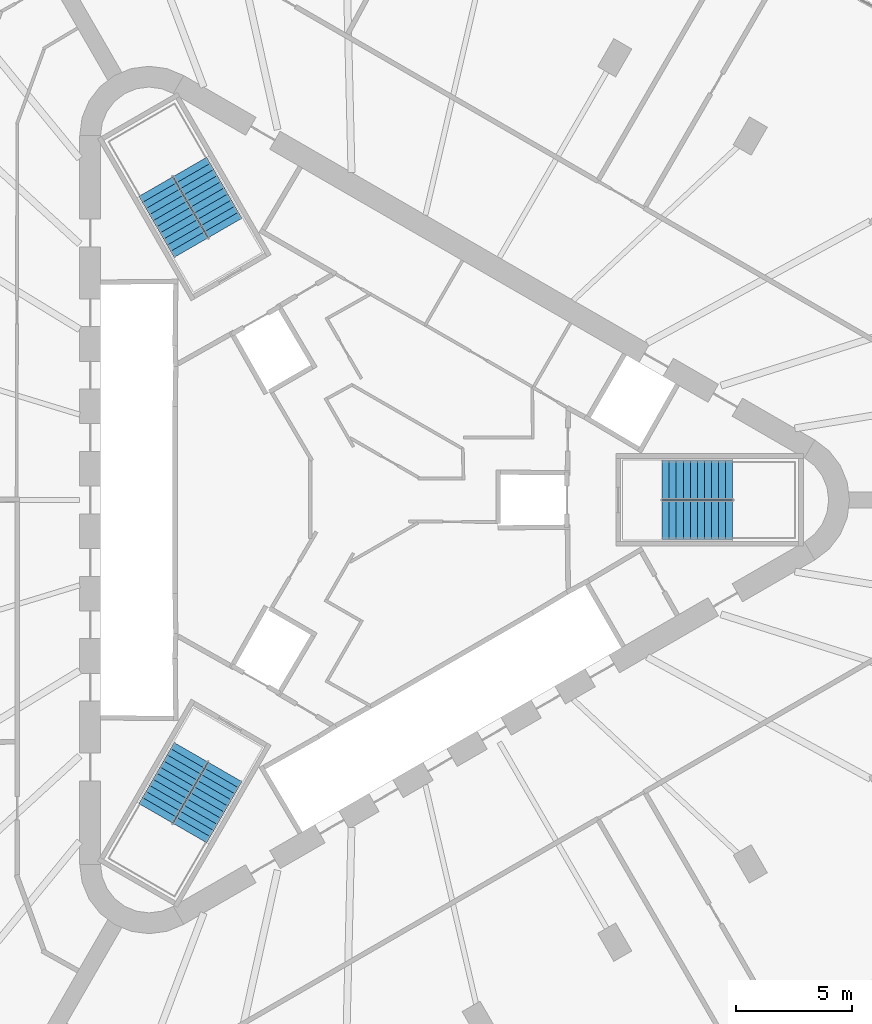
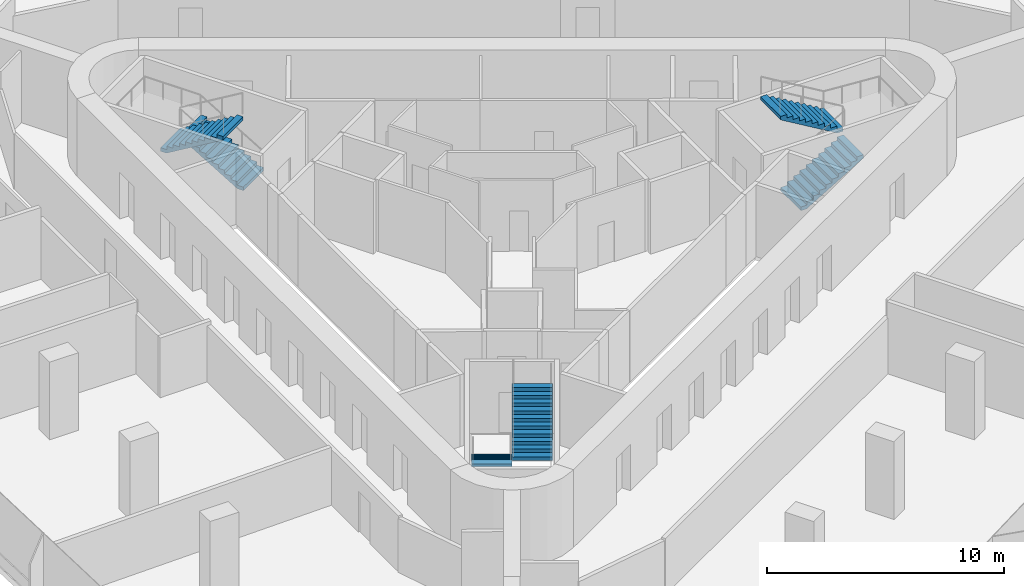
# One storey, part 13 of 14: 6 stair flights, 3 elements without a shape of their own.
"""IFC4 building model written with IfcOpenShell, lengths in metres."""

from ifc_helpers import new_model, si_unit, direction, frame, origin, place, context, subcontext, project, spatial, polyline, outline, extrude, material, type_object, element, aggregate, save


model = new_model("IFC4")

# Units and contexts
model_context = context("Model", 3, precision=1e-05, world=origin(), true_north=direction((0.0, 1.0)))
body_context = subcontext(model_context, "Body", "Model", "MODEL_VIEW")
ifc_project = project(units=[si_unit("LENGTHUNIT", "METRE"), si_unit("AREAUNIT", "SQUARE_METRE"), si_unit("VOLUMEUNIT", "CUBIC_METRE"), si_unit("PLANEANGLEUNIT", "RADIAN"), si_unit("MASSUNIT", "GRAM", prefix="KILO")], contexts=[model_context])

# Site, building, storey
site_placement = place(None, origin())
site = spatial("IfcSite", under=ifc_project, at=site_placement, CompositionType="ELEMENT")
building_placement = place(site_placement, origin())
building = spatial("IfcBuilding", under=site, at=building_placement, Name="Tanit Gate Tower", CompositionType="ELEMENT")
storey_placement = place(building_placement, frame((0.0, 0.0, 217.199951171875)))
storey = spatial("IfcBuildingStorey", under=building, at=storey_placement, Name="L48", CompositionType="ELEMENT", Elevation=217.199951171875)

# Stair, stair flights
ifc_material_1 = material(Name="Concrete C40/50", Category="concrete")
stair_type = type_object("IfcStairType", Name="INT-STAIR-EXIT", PredefinedType="HALF_TURN_STAIR", material=ifc_material_1)
stair_1_placement = place(storey_placement, origin())
stair_1 = element("IfcStair", 1, at=stair_1_placement, inside=storey, type_object=stair_type, Name="L48 STAIR S1", PredefinedType="HALF_TURN_STAIR")
ifc_material_2 = material(Name="Concrete C40/50", Category="concrete")
stair_flight_type = type_object("IfcStairFlightType", Name="INT-STAIR-FLIGHT", PredefinedType="STRAIGHT", material=ifc_material_2)
stair_flight_1_placement = place(storey_placement, frame((13.094970703125, -0.8525390625, 0.0), z_axis=(0.0, 0.0, 1.0), x_axis=(1.0, 0.0, 0.0)))
stair_flight_1 = element("IfcStairFlight", 2, at=stair_flight_1_placement, type_object=stair_flight_type, Name="S1 flight 1", NumberOfRisers=11, NumberOfTreads=10, PredefinedType="STRAIGHT", RiserHeight=0.181818182, TreadLength=0.3051, context=body_context, shape_type="SweptSolid", body=[
    extrude(outline(polyline([(0.0, 0.0), (0.0, 0.181884765625), (0.30517578125, 0.181884765625), (0.30517578125, 0.363525390625), (0.610107421875, 0.363525390625), (0.610107421875, 0.54541015625), (0.915283203125, 0.54541015625), (0.915283203125, 0.727294921875), (1.220458984375, 0.727294921875), (1.220458984375, 0.9091796875), (1.525390625, 0.9091796875), (1.525390625, 1.0908203125), (1.83056640625, 1.0908203125), (1.83056640625, 1.272705078125), (2.1357421875, 1.272705078125), (2.1357421875, 1.45458984375), (2.44091796875, 1.45458984375), (2.44091796875, 1.636474609375), (2.745849609375, 1.636474609375), (2.745849609375, 1.818115234375), (3.051025390625, 1.818115234375), (3.051025390625, 2.0), (3.051025390625, 1.643798828125), (0.292724609375, 0.0), (0.0, 0.0)])), frame((0.0, 0.84765625, 0.0), z_axis=(0.0, -1.0, 0.0), x_axis=(1.0, 0.0, 0.0)), (0.0, 0.0, 1.0), 1.695068359375),
])
stair_flight_2_placement = place(storey_placement, frame((16.14599609375, 0.8525390625, 2.0), z_axis=(0.0, 0.0, 1.0), x_axis=(-1.0, 0.0, 0.0)))
stair_flight_2 = element("IfcStairFlight", 3, at=stair_flight_2_placement, type_object=stair_flight_type, Name="S1 flight 2", NumberOfRisers=11, NumberOfTreads=10, PredefinedType="STRAIGHT", RiserHeight=0.181818182, TreadLength=0.3051, context=body_context, shape_type="SweptSolid", body=[
    extrude(outline(polyline([(0.0, 0.0), (0.0, 0.181884765625), (0.30517578125, 0.181884765625), (0.30517578125, 0.363525390625), (0.610107421875, 0.363525390625), (0.610107421875, 0.54541015625), (0.915283203125, 0.54541015625), (0.915283203125, 0.727294921875), (1.220458984375, 0.727294921875), (1.220458984375, 0.9091796875), (1.525390625, 0.9091796875), (1.525390625, 1.0908203125), (1.83056640625, 1.0908203125), (1.83056640625, 1.272705078125), (2.1357421875, 1.272705078125), (2.1357421875, 1.45458984375), (2.44091796875, 1.45458984375), (2.44091796875, 1.636474609375), (2.745849609375, 1.636474609375), (2.745849609375, 1.818115234375), (3.051025390625, 1.818115234375), (3.051025390625, 2.0), (3.051025390625, 1.643798828125), (0.292724609375, 0.0), (0.0, 0.0)])), frame((0.0, 0.84765625, 0.0), z_axis=(0.0, -1.0, 0.0), x_axis=(1.0, 0.0, 0.0)), (0.0, 0.0, 1.0), 1.695068359375),
])
aggregate(stair_1, [stair_flight_1, stair_flight_2])

stair_2_placement = place(storey_placement, origin())
stair_2 = element("IfcStair", 4, at=stair_2_placement, inside=storey, type_object=stair_type, Name="L48 STAIR S2", PredefinedType="HALF_TURN_STAIR")
stair_flight_3_placement = place(storey_placement, frame((-5.808349609375, 11.766357421875, 0.0), z_axis=(0.0, 0.0, 1.0), x_axis=(-0.5, 0.866025403784, 0.0)))
stair_flight_3 = element("IfcStairFlight", 5, at=stair_flight_3_placement, type_object=stair_flight_type, Name="S2 flight 1", NumberOfRisers=11, NumberOfTreads=10, PredefinedType="STRAIGHT", RiserHeight=0.181818182, TreadLength=0.30492, context=body_context, shape_type="SweptSolid", body=[
    extrude(outline(polyline([(0.0, 0.0), (0.0, 0.181884765625), (0.304931640625, 0.181884765625), (0.304931640625, 0.363525390625), (0.60986328125, 0.363525390625), (0.60986328125, 0.54541015625), (0.914794921875, 0.54541015625), (0.914794921875, 0.727294921875), (1.2197265625, 0.727294921875), (1.2197265625, 0.9091796875), (1.524658203125, 0.9091796875), (1.524658203125, 1.0908203125), (1.82958984375, 1.0908203125), (1.82958984375, 1.272705078125), (2.134521484375, 1.272705078125), (2.134521484375, 1.45458984375), (2.439453125, 1.45458984375), (2.439453125, 1.636474609375), (2.744384765625, 1.636474609375), (2.744384765625, 1.818115234375), (3.04931640625, 1.818115234375), (3.04931640625, 2.0), (3.04931640625, 1.6435546875), (0.292724609375, 0.0), (0.0, 0.0)])), frame((0.0, 0.84716796875, 0.0), z_axis=(0.0, -1.0, 0.0), x_axis=(1.0, 0.0, 0.0)), (0.0, 0.0, 1.0), 1.694091796875),
])
stair_flight_4_placement = place(storey_placement, frame((-8.810302734375, 13.553955078125, 2.0), z_axis=(0.0, 0.0, 1.0), x_axis=(0.5, -0.866025403784, 0.0)))
stair_flight_4 = element("IfcStairFlight", 6, at=stair_flight_4_placement, type_object=stair_flight_type, Name="S2 flight 2", NumberOfRisers=11, NumberOfTreads=10, PredefinedType="STRAIGHT", RiserHeight=0.181818182, TreadLength=0.30492, context=body_context, shape_type="SweptSolid", body=[
    extrude(outline(polyline([(0.0, 0.0), (0.0, 0.181884765625), (0.304931640625, 0.181884765625), (0.304931640625, 0.363525390625), (0.60986328125, 0.363525390625), (0.60986328125, 0.54541015625), (0.914794921875, 0.54541015625), (0.914794921875, 0.727294921875), (1.2197265625, 0.727294921875), (1.2197265625, 0.9091796875), (1.524658203125, 0.9091796875), (1.524658203125, 1.0908203125), (1.82958984375, 1.0908203125), (1.82958984375, 1.272705078125), (2.134521484375, 1.272705078125), (2.134521484375, 1.45458984375), (2.439453125, 1.45458984375), (2.439453125, 1.636474609375), (2.744384765625, 1.636474609375), (2.744384765625, 1.818115234375), (3.04931640625, 1.818115234375), (3.04931640625, 2.0), (3.04931640625, 1.6435546875), (0.292724609375, 0.0), (0.0, 0.0)])), frame((0.0, 0.84716796875, 0.0), z_axis=(0.0, -1.0, 0.0), x_axis=(1.0, 0.0, 0.0)), (0.0, 0.0, 1.0), 1.694091796875),
])
aggregate(stair_2, [stair_flight_3, stair_flight_4])

stair_3_placement = place(storey_placement, origin())
stair_3 = element("IfcStair", 7, at=stair_3_placement, inside=storey, type_object=stair_type, Name="L48 STAIR S3", PredefinedType="HALF_TURN_STAIR")
stair_flight_5_placement = place(storey_placement, frame((-7.285888671875, -10.914306640625, 0.0), z_axis=(0.0, 0.0, 1.0), x_axis=(-0.5, -0.866025403784, 0.0)))
stair_flight_5 = element("IfcStairFlight", 8, at=stair_flight_5_placement, type_object=stair_flight_type, Name="S3 flight 1", NumberOfRisers=11, NumberOfTreads=10, PredefinedType="STRAIGHT", RiserHeight=0.181818182, TreadLength=0.3051, context=body_context, shape_type="SweptSolid", body=[
    extrude(outline(polyline([(0.0, 0.0), (0.0, 0.181884765625), (0.30517578125, 0.181884765625), (0.30517578125, 0.363525390625), (0.610107421875, 0.363525390625), (0.610107421875, 0.54541015625), (0.915283203125, 0.54541015625), (0.915283203125, 0.727294921875), (1.220458984375, 0.727294921875), (1.220458984375, 0.9091796875), (1.525390625, 0.9091796875), (1.525390625, 1.0908203125), (1.83056640625, 1.0908203125), (1.83056640625, 1.272705078125), (2.1357421875, 1.272705078125), (2.1357421875, 1.45458984375), (2.44091796875, 1.45458984375), (2.44091796875, 1.636474609375), (2.745849609375, 1.636474609375), (2.745849609375, 1.818115234375), (3.051025390625, 1.818115234375), (3.051025390625, 2.0), (3.051025390625, 1.643798828125), (0.292724609375, 0.0), (0.0, 0.0)])), frame((0.0, 0.84765625, 0.0), z_axis=(0.0, -1.0, 0.0), x_axis=(1.0, 0.0, 0.0)), (0.0, 0.0, 1.0), 1.695068359375),
])
stair_flight_6_placement = place(storey_placement, frame((-7.334716796875, -14.4091796875, 2.0), z_axis=(0.0, 0.0, 1.0), x_axis=(0.5, 0.866025403784, 0.0)))
stair_flight_6 = element("IfcStairFlight", 9, at=stair_flight_6_placement, type_object=stair_flight_type, Name="S3 flight 2", NumberOfRisers=11, NumberOfTreads=10, PredefinedType="STRAIGHT", RiserHeight=0.181818182, TreadLength=0.3051, context=body_context, shape_type="SweptSolid", body=[
    extrude(outline(polyline([(0.0, 0.0), (0.0, 0.181884765625), (0.30517578125, 0.181884765625), (0.30517578125, 0.363525390625), (0.610107421875, 0.363525390625), (0.610107421875, 0.54541015625), (0.915283203125, 0.54541015625), (0.915283203125, 0.727294921875), (1.220458984375, 0.727294921875), (1.220458984375, 0.9091796875), (1.525390625, 0.9091796875), (1.525390625, 1.0908203125), (1.83056640625, 1.0908203125), (1.83056640625, 1.272705078125), (2.1357421875, 1.272705078125), (2.1357421875, 1.45458984375), (2.44091796875, 1.45458984375), (2.44091796875, 1.636474609375), (2.745849609375, 1.636474609375), (2.745849609375, 1.818115234375), (3.051025390625, 1.818115234375), (3.051025390625, 2.0), (3.051025390625, 1.643798828125), (0.292724609375, 0.0), (0.0, 0.0)])), frame((0.0, 0.84765625, 0.0), z_axis=(0.0, -1.0, 0.0), x_axis=(1.0, 0.0, 0.0)), (0.0, 0.0, 1.0), 1.695068359375),
])
aggregate(stair_3, [stair_flight_5, stair_flight_6])

save(model, "model.ifc")
